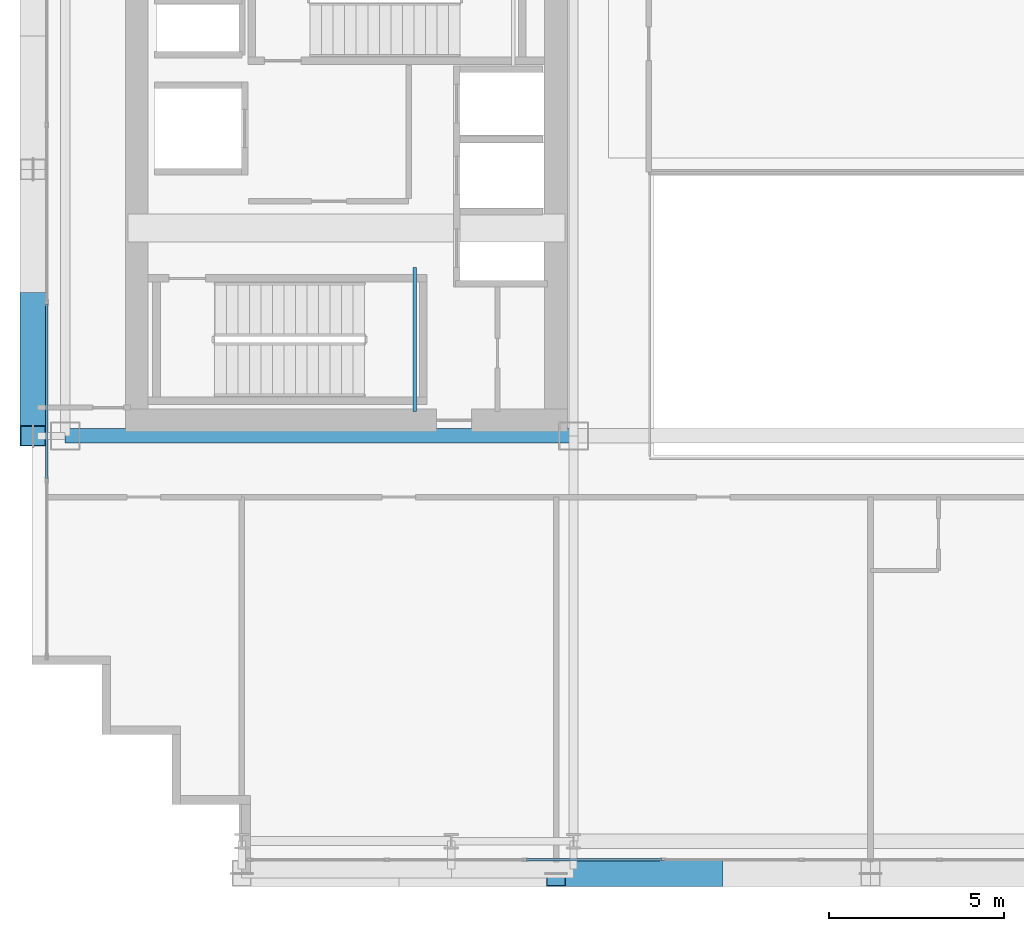
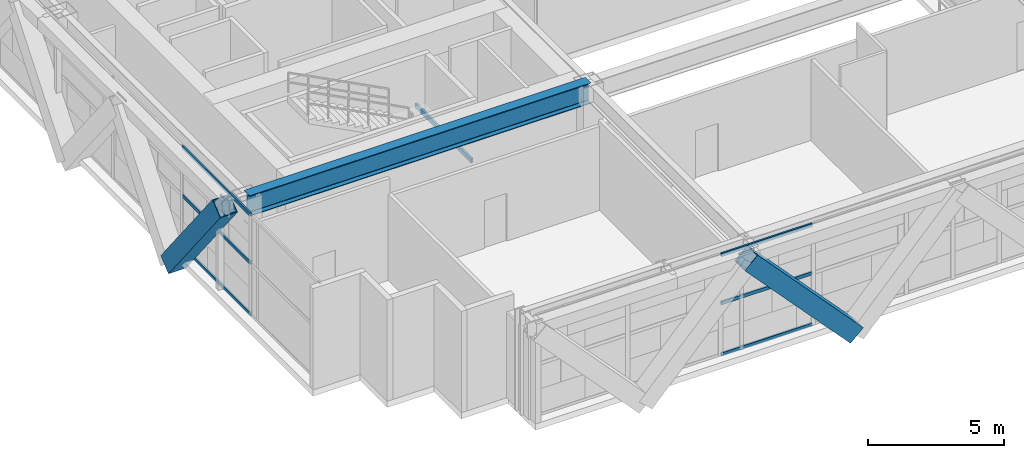
# One storey, part 4 of 38: 8 members, 2 beams, 2 elements without a shape of their own.
"""IFC4 building model written with IfcOpenShell, lengths in metres."""

from ifc_helpers import new_model, si_unit, direction, frame, origin, origin_2d, place, context, subcontext, project, spatial, hollow_rectangle, i_section, extrude, source, transform, mapped, material, layer, layer_set, material_profile, profile_set, type_object, element, aggregate, save


model = new_model("IFC4")

# Units and contexts
model_context = context("Model", 3, precision=1e-05, world=origin(), true_north=direction((0.0, 1.0)))
body_context = subcontext(model_context, "Body", "Model", "MODEL_VIEW")
ifc_project = project(units=[si_unit("LENGTHUNIT", "METRE"), si_unit("AREAUNIT", "SQUARE_METRE"), si_unit("VOLUMEUNIT", "CUBIC_METRE"), si_unit("PLANEANGLEUNIT", "RADIAN"), si_unit("MASSUNIT", "GRAM", prefix="KILO")], contexts=[model_context])

# Site, building, storey
site_placement = place(None, origin())
site = spatial("IfcSite", under=ifc_project, at=site_placement, CompositionType="ELEMENT")
building_placement = place(site_placement, origin())
building = spatial("IfcBuilding", under=site, at=building_placement, Name="Ocotamira Hotel", CompositionType="ELEMENT")
storey_placement = place(building_placement, frame((0.0, 0.0, 92.39990234375)))
storey = spatial("IfcBuildingStorey", under=building, at=storey_placement, Name="L22", CompositionType="ELEMENT", Elevation=92.39990234375)

# Beams
ifc_material_1 = material(Name="Steel ASTM A500 Grade C", Category="steel")
ifc_material_profile_1 = material_profile(ifc_material_1, hollow_rectangle(XDim=0.10009765625, YDim=0.199951171875, WallThickness=0.008056640625, at=origin_2d()), Name="HSS200X100X8")
ifc_profile_set_1 = profile_set([ifc_material_profile_1], Name="Steel ASTM A500 Grade C")
beam_type_1 = type_object("IfcBeamType", Name="BM-STLDG-HSS200", PredefinedType="BEAM", material=ifc_profile_set_1)
shared_shape_1 = source(origin(), body_context, "Body", "SweptSolid", [
    extrude(hollow_rectangle(XDim=0.10009765625, YDim=0.199951171875, WallThickness=0.008056640625, at=origin_2d()), origin(), (0.0, 0.0, 1.0), 4.1201171875),
])
beam_1_placement = place(storey_placement, frame((18.949951171875, 15.25, 2.10009765625), z_axis=(0.0, 1.0, 0.0), x_axis=(-1.0, 0.0, 0.0)))
element("IfcBeam", 1, at=beam_1_placement, inside=storey, type_object=beam_type_1, Name="L22 Stair ST-1 Landing Bearer 1", PredefinedType="BEAM", context=body_context, shape_type="MappedRepresentation", body=[
    mapped(shared_shape_1, transform((0.0, 0.0, 0.0), scale=1.0)),
])
ifc_material_2 = material(Name="Steel ASTM A992 Grade 50", Category="steel")
ifc_material_profile_2 = material_profile(ifc_material_2, i_section(OverallWidth=0.41796875, OverallDepth=0.927001953125, WebThickness=0.019287109375, FlangeThickness=0.031982421875, FilletRadius=0.02392578125, at=origin_2d()), Name="W36X231")
ifc_profile_set_2 = profile_set([ifc_material_profile_2], Name="Steel ASTM A992 Grade 50")
beam_type_2 = type_object("IfcBeamType", Name="BM-GIRD-W36X231", PredefinedType="BEAM", material=ifc_profile_set_2)
shared_shape_2 = source(origin(), body_context, "Body", "SweptSolid", [
    extrude(i_section(OverallWidth=0.41796875, OverallDepth=0.927001953125, WebThickness=0.019287109375, FlangeThickness=0.031982421875, FilletRadius=0.02392578125, at=origin_2d()), origin(), (0.0, 0.0, 1.0), 14.550048828125),
])
beam_2_placement = place(storey_placement, frame((8.949951171875, 14.550048828125, 4.0966796875), z_axis=(1.0, 0.0, 0.0), x_axis=(0.0, 1.0, 0.0)))
element("IfcBeam", 2, at=beam_2_placement, inside=storey, type_object=beam_type_2, Name="L22 Girder Y14.55 X8.95-23.5", PredefinedType="BEAM", context=body_context, shape_type="MappedRepresentation", body=[
    mapped(shared_shape_2, transform((0.0, 0.0, 0.0), scale=1.0)),
])

# Members
ifc_material_3 = material(Name="Pale-metal coated steel ASTM A913 Grade 65", Category="steel")
ifc_material_profile_3 = material_profile(ifc_material_3, hollow_rectangle(XDim=0.75, YDim=0.75, WallThickness=0.028076171875, at=origin_2d()), Name="BOX750X750X28")
ifc_profile_set_3 = profile_set([ifc_material_profile_3], Name="Pale-metal coated steel ASTM A913 Grade 65")
member_type_1 = type_object("IfcMemberType", Name="MEM-EXO-BOX750", PredefinedType="BRACE", material=ifc_profile_set_3)
shared_shape_3 = source(origin(), body_context, "Body", "SweptSolid", [
    extrude(hollow_rectangle(XDim=0.75, YDim=0.75, WallThickness=0.028076171875, at=origin_2d()), origin(), (0.0, 0.0, 1.0), 6.608642578125),
])
member_1_placement = place(storey_placement, frame((27.5, 2.030029296875, -0.52978515625), z_axis=(-0.680927060572, 0.0, 0.732351239625), x_axis=(0.0, -1.0, 0.0)))
element("IfcMember", 3, at=member_1_placement, inside=storey, type_object=member_type_1, Name="L22 Exoskeleton Diagrid S1.1", PredefinedType="BRACE", context=body_context, shape_type="MappedRepresentation", body=[
    mapped(shared_shape_3, transform((0.0, 0.0, 0.0), scale=1.0)),
])
shared_shape_4 = source(origin(), body_context, "Body", "SweptSolid", [
    extrude(hollow_rectangle(XDim=0.75, YDim=0.75, WallThickness=0.028076171875, at=origin_2d()), origin(), (0.0, 0.0, 1.0), 6.16357421875),
])
member_2_placement = place(storey_placement, frame((8.030029296875, 18.36669921875, -0.52978515625), z_axis=(0.0, -0.619216534821, 0.785220276741), x_axis=(1.0, 0.0, 0.0)))
element("IfcMember", 4, at=member_2_placement, inside=storey, type_object=member_type_1, Name="L22 Exoskeleton Diagrid W0.1", PredefinedType="BRACE", context=body_context, shape_type="MappedRepresentation", body=[
    mapped(shared_shape_4, transform((0.0, 0.0, 0.0), scale=1.0)),
])

# Curtain wall, members
ifc_material_4 = material(Name="Anodised pale-metal aluminium and solar glass", Category="aluminium")
ifc_layer = layer(ifc_material_4, 0.239990234375)
ifc_layer_set = layer_set([ifc_layer], Name="Anodised pale-metal aluminium and solar glass")
curtain_wall_type = type_object("IfcCurtainWallType", Name="CW-SYS5-SKY", PredefinedType="NOTDEFINED", material=ifc_layer_set)
curtain_wall_1_placement = place(storey_placement, origin())
curtain_wall_1 = element("IfcCurtainWall", 5, at=curtain_wall_1_placement, inside=storey, type_object=curtain_wall_type, Name="L22 Curtain Wall CW-5 CW-L22-S1", PredefinedType="NOTDEFINED")
ifc_material_5 = material(Name="Anodised pale-metal aluminium 6063-T6", Category="aluminium")
ifc_material_profile_4 = material_profile(ifc_material_5, hollow_rectangle(XDim=0.074951171875, YDim=0.14990234375, WallThickness=0.006103515625, at=origin_2d()), Name="HSS150X75X6")
ifc_profile_set_4 = profile_set([ifc_material_profile_4], Name="Anodised pale-metal aluminium 6063-T6")
member_type_2 = type_object("IfcMemberType", Name="CWT-150X75", PredefinedType="USERDEFINED", material=ifc_profile_set_4)
shared_shape_5 = source(origin(), body_context, "Body", "SweptSolid", [
    extrude(hollow_rectangle(XDim=0.074951171875, YDim=0.14990234375, WallThickness=0.006103515625, at=origin_2d()), origin(), (0.0, 0.0, 1.0), 3.87548828125),
])
member_3_placement = place(storey_placement, frame((22.151123046875, 2.419921875, 0.03759765625), z_axis=(1.0, 0.0, 0.0), x_axis=(0.0, 1.0, 0.0)))
member_3 = element("IfcMember", 6, at=member_3_placement, type_object=member_type_2, Name="CW-5 transom 3.1", ObjectType="TRANSOM", PredefinedType="USERDEFINED", context=body_context, shape_type="MappedRepresentation", body=[
    mapped(shared_shape_5, transform((0.0, 0.0, 0.0), scale=1.0)),
])
member_4_placement = place(storey_placement, frame((22.151123046875, 2.419921875, 2.35009765625), z_axis=(1.0, 0.0, 0.0), x_axis=(0.0, 1.0, 0.0)))
member_4 = element("IfcMember", 7, at=member_4_placement, type_object=member_type_2, Name="CW-5 transom 3.2", ObjectType="TRANSOM", PredefinedType="USERDEFINED", context=body_context, shape_type="MappedRepresentation", body=[
    mapped(shared_shape_5, transform((0.0, 0.0, 0.0), scale=1.0)),
])
member_5_placement = place(storey_placement, frame((22.151123046875, 2.419921875, 4.522705078125), z_axis=(1.0, 0.0, 0.0), x_axis=(0.0, 1.0, 0.0)))
member_5 = element("IfcMember", 8, at=member_5_placement, type_object=member_type_2, Name="CW-5 transom 3.3", ObjectType="TRANSOM", PredefinedType="USERDEFINED", context=body_context, shape_type="MappedRepresentation", body=[
    mapped(shared_shape_5, transform((0.0, 0.0, 0.0), scale=1.0)),
])
aggregate(curtain_wall_1, [member_3, member_4, member_5])

curtain_wall_2_placement = place(storey_placement, origin())
curtain_wall_2 = element("IfcCurtainWall", 9, at=curtain_wall_2_placement, inside=storey, type_object=curtain_wall_type, Name="L22 Curtain Wall CW-5 CW-L22-W", PredefinedType="NOTDEFINED")
shared_shape_6 = source(origin(), body_context, "Body", "SweptSolid", [
    extrude(hollow_rectangle(XDim=0.074951171875, YDim=0.14990234375, WallThickness=0.006103515625, at=origin_2d()), origin(), (0.0, 0.0, 1.0), 5.005859375),
])
member_6_placement = place(storey_placement, frame((8.419921875, 13.32568359375, 0.03759765625), z_axis=(0.0, 1.0, 0.0), x_axis=(-1.0, 0.0, 0.0)))
member_6 = element("IfcMember", 10, at=member_6_placement, type_object=member_type_2, Name="CW-5 transom 2.1", ObjectType="TRANSOM", PredefinedType="USERDEFINED", context=body_context, shape_type="MappedRepresentation", body=[
    mapped(shared_shape_6, transform((0.0, 0.0, 0.0), scale=1.0)),
])
member_7_placement = place(storey_placement, frame((8.419921875, 13.32568359375, 2.35009765625), z_axis=(0.0, 1.0, 0.0), x_axis=(-1.0, 0.0, 0.0)))
member_7 = element("IfcMember", 11, at=member_7_placement, type_object=member_type_2, Name="CW-5 transom 2.2", ObjectType="TRANSOM", PredefinedType="USERDEFINED", context=body_context, shape_type="MappedRepresentation", body=[
    mapped(shared_shape_6, transform((0.0, 0.0, 0.0), scale=1.0)),
])
member_8_placement = place(storey_placement, frame((8.419921875, 13.32568359375, 4.522705078125), z_axis=(0.0, 1.0, 0.0), x_axis=(-1.0, 0.0, 0.0)))
member_8 = element("IfcMember", 12, at=member_8_placement, type_object=member_type_2, Name="CW-5 transom 2.3", ObjectType="TRANSOM", PredefinedType="USERDEFINED", context=body_context, shape_type="MappedRepresentation", body=[
    mapped(shared_shape_6, transform((0.0, 0.0, 0.0), scale=1.0)),
])
aggregate(curtain_wall_2, [member_6, member_7, member_8])

save(model, "model.ifc")
